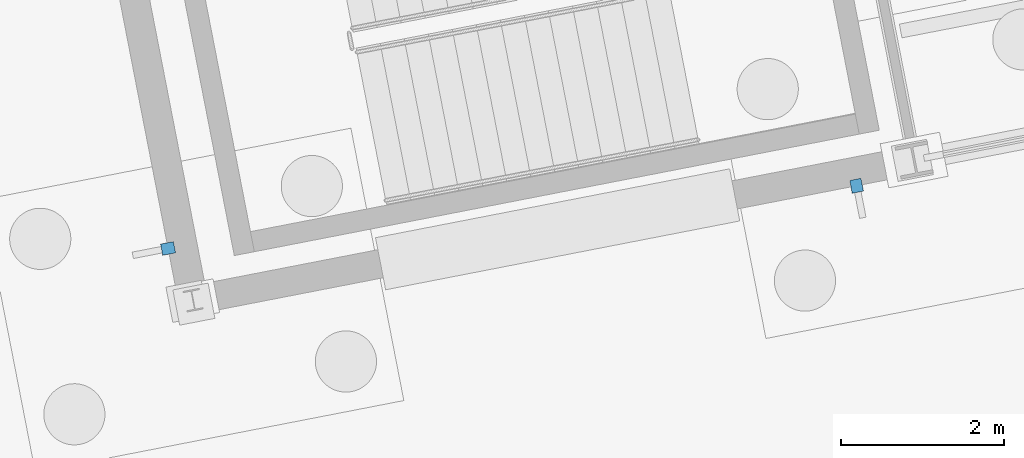
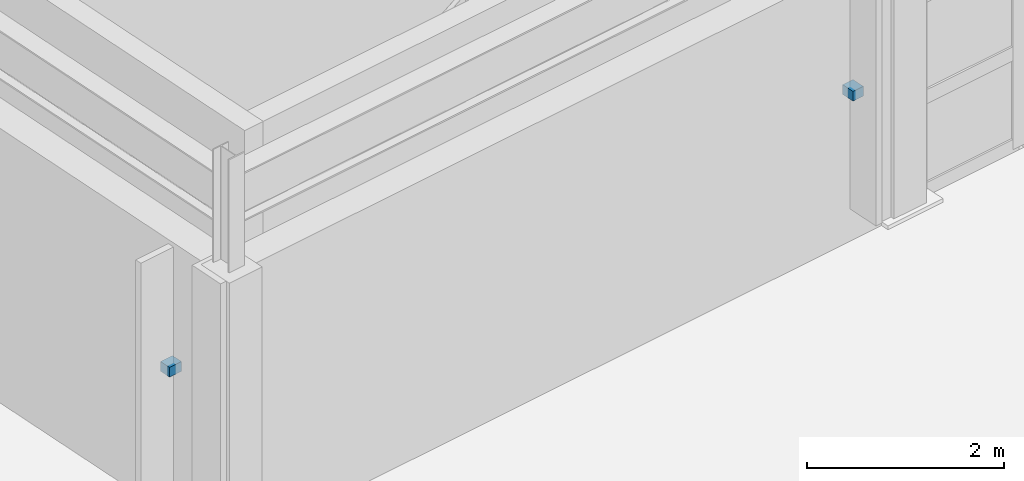
# One storey, part 92 of 108: 2 discrete accessories.
"""IFC4 building model written with IfcOpenShell, lengths in metres."""

from ifc_helpers import new_model, si_unit, direction, frame, origin, origin_2d, place, context, subcontext, project, spatial, rectangle, extrude, material, type_object, element, save


model = new_model("IFC4")

# Units and contexts
model_context = context("Model", 3, precision=1e-05, world=origin(), true_north=direction((0.0, 1.0)))
body_context = subcontext(model_context, "Body", "Model", "MODEL_VIEW")
ifc_project = project(units=[si_unit("LENGTHUNIT", "METRE"), si_unit("AREAUNIT", "SQUARE_METRE"), si_unit("VOLUMEUNIT", "CUBIC_METRE"), si_unit("PLANEANGLEUNIT", "RADIAN"), si_unit("MASSUNIT", "GRAM", prefix="KILO")], contexts=[model_context])

# Site, building, storey
site_placement = place(None, origin())
site = spatial("IfcSite", under=ifc_project, at=site_placement, CompositionType="ELEMENT")
building_placement = place(site_placement, origin())
building = spatial("IfcBuilding", under=site, at=building_placement, Name="Vireo Bluff Cable Station", CompositionType="ELEMENT")
storey_placement = place(building_placement, origin())
storey = spatial("IfcBuildingStorey", under=building, at=storey_placement, Name="L00", CompositionType="ELEMENT", Elevation=0.0)

# Discrete accessories
ifc_material = material(Name="Stainless Steel 316", Category="steel")
discrete_accessory_type = type_object("IfcDiscreteAccessoryType", Name="FACADE-BRACKET-01", PredefinedType="BRACKET", material=ifc_material)
for number, where, z_axis, x_axis, name in (
    (1, (17.62939453125, 6.90185546875, 1.7900390625), (0.0, 0.0, 1.0), (-0.981627183814, -0.190808993492, 0.0), "V5 L00 solar fin bracket 32"),
    (2, (9.193359375, 6.133544921875, 1.7900390625), (0.0, 0.0, 1.0), (-0.190808904334, 0.981627201145, 0.0), "V5 L00 solar fin bracket 33"),
):
    element("IfcDiscreteAccessory", number, at=place(storey_placement, frame(where, z_axis=z_axis, x_axis=x_axis)), inside=storey, type_object=discrete_accessory_type, Name=name, PredefinedType="BRACKET", context=body_context, shape_type="SweptSolid", body=[
        extrude(rectangle(XDim=0.139892578125, YDim=0.159912109375, at=origin_2d()), origin(), (0.0, 0.0, 1.0), 0.1201171875),
    ])

save(model, "model.ifc")
